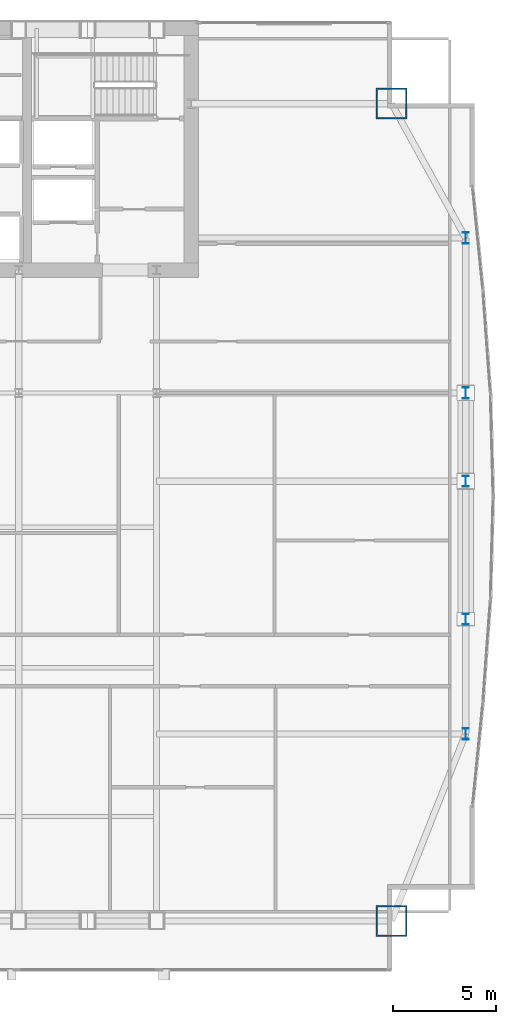
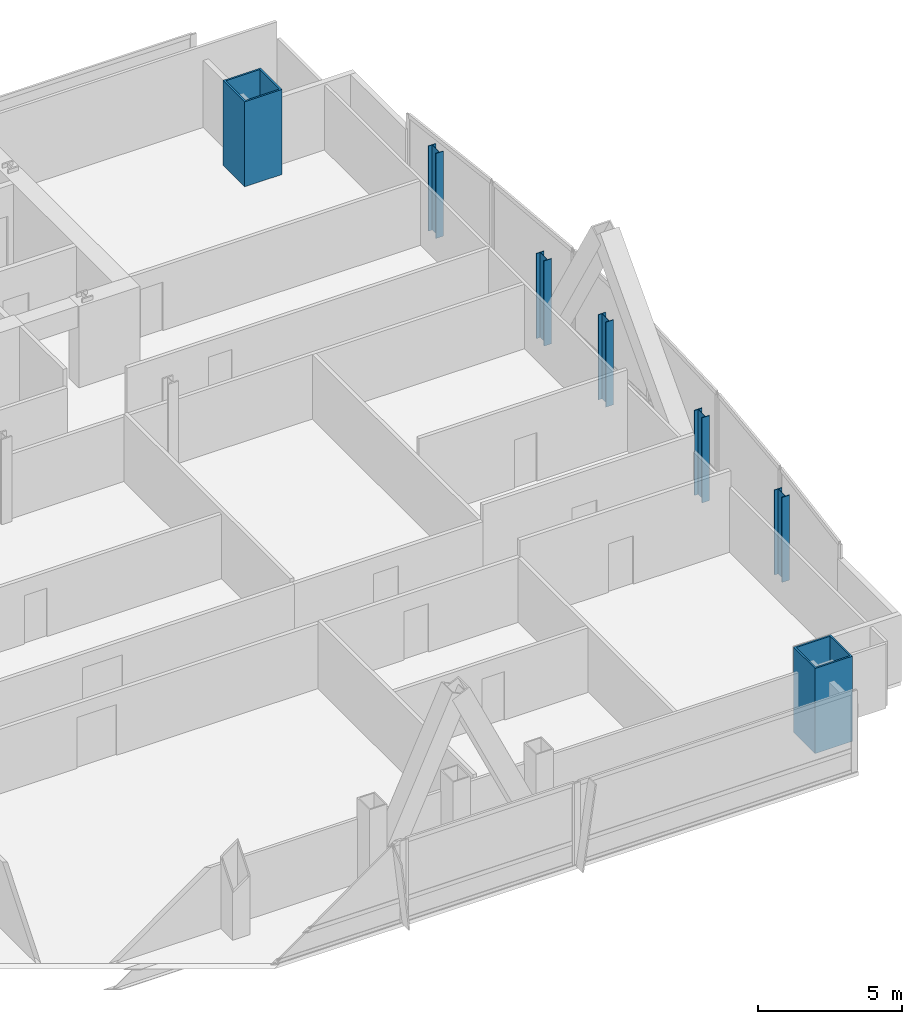
# One storey, part 4 of 31: 7 columns.
"""IFC4 building model written with IfcOpenShell, lengths in metres."""

from ifc_helpers import new_model, si_unit, direction, frame, origin, origin_2d, place, context, subcontext, project, spatial, hollow_rectangle, i_section, extrude, material, material_profile, profile_set, type_object, element, save


model = new_model("IFC4")

# Units and contexts
model_context = context("Model", 3, precision=1e-05, world=origin(), true_north=direction((0.0, 1.0)))
body_context = subcontext(model_context, "Body", "Model", "MODEL_VIEW")
ifc_project = project(units=[si_unit("LENGTHUNIT", "METRE"), si_unit("AREAUNIT", "SQUARE_METRE"), si_unit("VOLUMEUNIT", "CUBIC_METRE"), si_unit("PLANEANGLEUNIT", "RADIAN"), si_unit("MASSUNIT", "GRAM", prefix="KILO")], contexts=[model_context])

# Site, building, storey
site_placement = place(None, origin())
site = spatial("IfcSite", under=ifc_project, at=site_placement, CompositionType="ELEMENT")
building_placement = place(site_placement, origin())
building = spatial("IfcBuilding", under=site, at=building_placement, Name="Khoronbel Lancet Exchange", CompositionType="ELEMENT")
storey_placement = place(building_placement, frame((0.0, 0.0, 129.0)))
storey = spatial("IfcBuildingStorey", under=building, at=storey_placement, Name="L31", CompositionType="ELEMENT", Elevation=129.0)

# Columns
ifc_material_1 = material(Name="Steel S355", Category="steel")
ifc_material_profile_1 = material_profile(ifc_material_1, i_section(OverallWidth=0.300048828125, OverallDepth=0.550048828125, WebThickness=0.014892578125, FlangeThickness=0.029052734375, at=origin_2d()), Name="HEB 550")
ifc_profile_set_1 = profile_set([ifc_material_profile_1], Name="Steel S355")
column_type_1 = type_object("IfcColumnType", Name="COL-LC1", PredefinedType="COLUMN", material=ifc_profile_set_1)
for number, where, z_axis, x_axis, name in (
    (1, (69.6298828125, 19.199951171875, 0.0), (0.0, 0.0, 1.0), (1.0, 0.0, 0.0), "Structural column EC-1 L31"),
    (2, (69.6298828125, 24.75, 0.0), (0.0, 0.0, 1.0), (1.0, 0.0, 0.0), "Structural column EC-2 L31"),
    (3, (69.6298828125, 31.425048828125, 0.0), (0.0, 0.0, 1.0), (1.0, 0.0, 0.0), "Structural column EC-M L31"),
    (4, (69.6298828125, 35.699951171875, 0.0), (0.0, 0.0, 1.0), (1.0, 0.0, 0.0), "Structural column EC-3 L31"),
    (5, (69.6298828125, 43.199951171875, 0.0), (0.0, 0.0, 1.0), (1.0, 0.0, 0.0), "Structural column EC-4 L31"),
):
    element("IfcColumn", number, at=place(storey_placement, frame(where, z_axis=z_axis, x_axis=x_axis)), inside=storey, type_object=column_type_1, Name=name, PredefinedType="COLUMN", context=body_context, shape_type="SweptSolid", body=[
        extrude(i_section(OverallWidth=0.300048828125, OverallDepth=0.550048828125, WebThickness=0.014892578125, FlangeThickness=0.029052734375, at=origin_2d()), origin(), (0.0, 0.0, 1.0), 3.60009765625),
    ])
ifc_material_2 = material(Name="Steel S460", Category="steel")
ifc_material_profile_2 = material_profile(ifc_material_2, hollow_rectangle(XDim=1.5, YDim=1.5, WallThickness=0.070068359375, at=origin_2d()), Name="BOX 1500x1500x70")
ifc_profile_set_2 = profile_set([ifc_material_profile_2], Name="Steel S460")
column_type_2 = type_object("IfcColumnType", Name="COL-MC3", PredefinedType="COLUMN", material=ifc_profile_set_2)
for number, where, z_axis, x_axis, name in (
    (6, (66.050048828125, 10.14990234375, 0.0), (0.0, 0.0, 1.0), (1.0, 0.0, 0.0), "Structural column MC-SE L31"),
    (7, (66.050048828125, 49.699951171875, 0.0), (0.0, 0.0, 1.0), (1.0, 0.0, 0.0), "Structural column MC-NE L31"),
):
    element("IfcColumn", number, at=place(storey_placement, frame(where, z_axis=z_axis, x_axis=x_axis)), inside=storey, type_object=column_type_2, Name=name, PredefinedType="COLUMN", context=body_context, shape_type="SweptSolid", body=[
        extrude(hollow_rectangle(XDim=1.5, YDim=1.5, WallThickness=0.070068359375, at=origin_2d()), origin(), (0.0, 0.0, 1.0), 3.60009765625),
    ])

save(model, "model.ifc")
